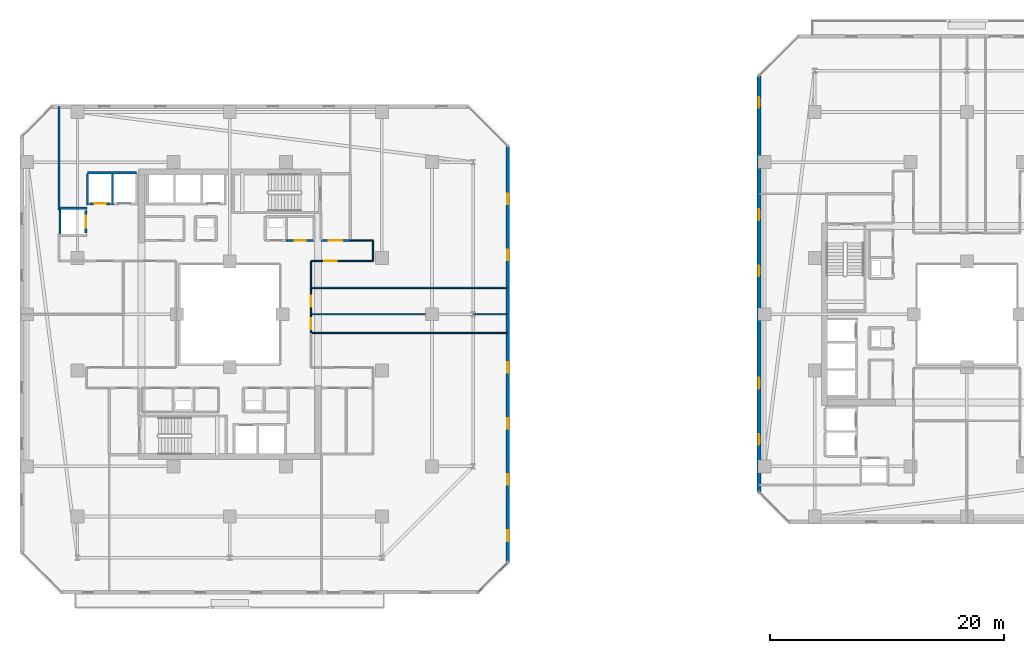
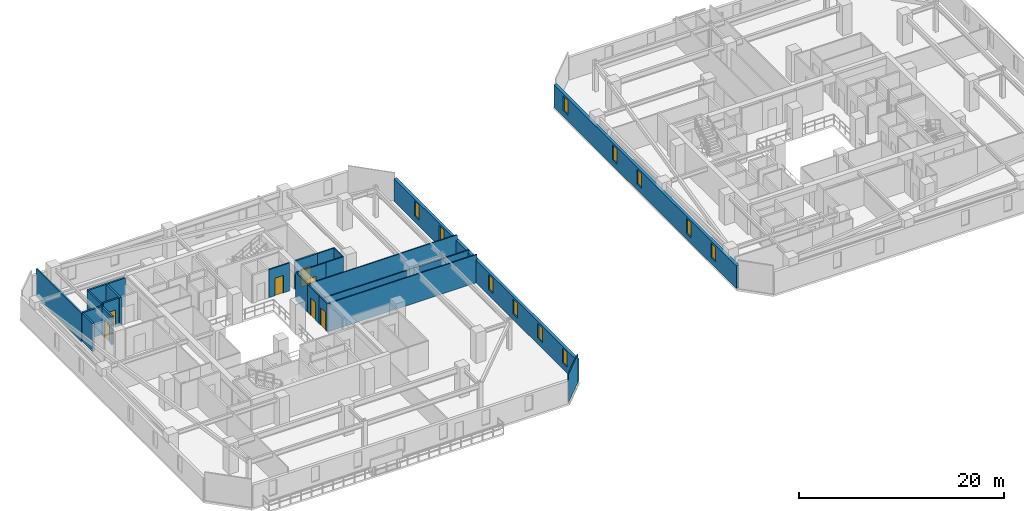
# One storey, part 21 of 33: 23 walls, 11 windows, 7 doors, 18 openings.
"""IFC4 building model written with IfcOpenShell, lengths in metres."""

from ifc_helpers import new_model, si_unit, direction, frame, frame_2d, origin, place, context, subcontext, project, spatial, rectangle, extrude, material, layer, layer_set, type_object, element, fill, save


model = new_model("IFC4")

# Units and contexts
model_context = context("Model", 3, precision=1e-05, world=origin(), true_north=direction((0.0, 1.0)))
body_context = subcontext(model_context, "Body", "Model", "MODEL_VIEW")
ifc_project = project(units=[si_unit("LENGTHUNIT", "METRE"), si_unit("AREAUNIT", "SQUARE_METRE"), si_unit("VOLUMEUNIT", "CUBIC_METRE"), si_unit("PLANEANGLEUNIT", "RADIAN"), si_unit("MASSUNIT", "GRAM", prefix="KILO")], contexts=[model_context])

# Site, building, storey
site_placement = place(None, origin())
site = spatial("IfcSite", under=ifc_project, at=site_placement, CompositionType="ELEMENT")
building_placement = place(site_placement, origin())
building = spatial("IfcBuilding", under=site, at=building_placement, Name="Thornwick Lancets Civic Towers", CompositionType="ELEMENT")
storey_placement = place(building_placement, frame((0.0, 0.0, 159.89990234375)))
storey = spatial("IfcBuildingStorey", under=building, at=storey_placement, Name="L42", CompositionType="ELEMENT", Elevation=159.89990234375)

# Wall, opening, door
ifc_material_1 = material(Name="Concrete blockwork C40/50", Category="masonry")
ifc_layer_1 = layer(ifc_material_1, 0.199951171875, Name="Concrete blockwork C40/50")
ifc_layer_set_1 = layer_set([ifc_layer_1], Name="Concrete blockwork C40/50")
wall_type_1 = type_object("IfcWallType", Name="WALL_COMP_200", PredefinedType="STANDARD", material=ifc_layer_set_1)
wall_1_placement = place(storey_placement, frame((15.320068359375, 36.449951171875, 0.0), z_axis=(0.0, 0.0, 1.0), x_axis=(-1.0, 0.0, 0.0)))
wall_1 = element("IfcWall", 1, at=wall_1_placement, inside=storey, type_object=wall_type_1, Name="L42 Hoistway Front Wall PL-AM2", PredefinedType="STANDARD", context=body_context, shape_type="SweptSolid", body=[
    extrude(rectangle(XDim=1.7900390625, YDim=0.199951171875, at=frame_2d((0.89501953125, 0.0))), origin(), (0.0, 0.0, 1.0), 3.340087890625),
])
opening_1_placement = place(wall_1_placement, frame((0.385009765625, 0.0, 0.0)))
opening_1 = element("IfcOpeningElement", 2, at=opening_1_placement, cuts=wall_1, Name="Opening LD-PL-AM2", PredefinedType="OPENING", context=body_context, shape_type="SweptSolid", body=[
    extrude(rectangle(XDim=1.02001953125, YDim=2.06005859375, at=frame_2d((0.510009765625, 1.030029296875))), frame((0.0, 0.10986328125, 0.0), z_axis=(0.0, -1.0, 0.0), x_axis=(1.0, 0.0, 0.0)), (0.0, 0.0, 1.0), 0.219970703125),
])
ifc_material_2 = material(Name="Brushed bronze stainless steel", Category="steel")
door_type_1 = type_object("IfcDoorType", Name="DOOR_LIFT_SLIDE", OperationType="SLIDING_TO_LEFT", PredefinedType="DOOR", material=ifc_material_2)
door_1_placement = place(opening_1_placement, origin())
door_1 = element("IfcDoor", 3, at=door_1_placement, inside=storey, type_object=door_type_1, Name="L42 Sliding Lift Landing Door LD-PL-AM2", OperationType="SLIDING_TO_LEFT", OverallHeight=2.06005859375, OverallWidth=1.02001953125, PredefinedType="DOOR", context=body_context, shape_type="SweptSolid", body=[
    extrude(rectangle(XDim=1.02001953125, YDim=2.06005859375, at=frame_2d((0.510009765625, 1.030029296875))), frame((0.0, 0.02490234375, 0.0), z_axis=(0.0, -1.0, 0.0), x_axis=(1.0, 0.0, 0.0)), (0.0, 0.0, 1.0), 0.050048828125),
])
fill(opening_1, door_1)

wall_2_placement = place(storey_placement, frame((13.199951171875, 33.929931640625, 0.0), z_axis=(0.0, 0.0, 1.0), x_axis=(0.0, 1.0, 0.0)))
wall_2 = element("IfcWall", 4, at=wall_2_placement, inside=storey, type_object=wall_type_1, Name="L42 Hoistway Front Wall PL-AM3", PredefinedType="STANDARD", context=body_context, shape_type="SweptSolid", body=[
    extrude(rectangle(XDim=1.940185546875, YDim=0.199951171875, at=frame_2d((0.97021484375, 0.0))), origin(), (0.0, 0.0, 1.0), 3.340087890625),
])
opening_2_placement = place(wall_2_placement, frame((0.4599609375, 0.0, 0.0)))
opening_2 = element("IfcOpeningElement", 5, at=opening_2_placement, cuts=wall_2, Name="Opening LD-PL-AM3", PredefinedType="OPENING", context=body_context, shape_type="SweptSolid", body=[
    extrude(rectangle(XDim=1.02001953125, YDim=2.06005859375, at=frame_2d((0.510009765625, 1.030029296875))), frame((0.0, 0.10986328125, 0.0), z_axis=(0.0, -1.0, 0.0), x_axis=(1.0, 0.0, 0.0)), (0.0, 0.0, 1.0), 0.219970703125),
])
door_2_placement = place(opening_2_placement, origin())
door_2 = element("IfcDoor", 6, at=door_2_placement, inside=storey, type_object=door_type_1, Name="L42 Sliding Lift Landing Door LD-PL-AM3", OperationType="SLIDING_TO_LEFT", OverallHeight=2.06005859375, OverallWidth=1.02001953125, PredefinedType="DOOR", context=body_context, shape_type="SweptSolid", body=[
    extrude(rectangle(XDim=1.02001953125, YDim=2.06005859375, at=frame_2d((0.510009765625, 1.030029296875))), frame((0.0, 0.02490234375, 0.0), z_axis=(0.0, -1.0, 0.0), x_axis=(1.0, 0.0, 0.0)), (0.0, 0.0, 1.0), 0.050048828125),
])
fill(opening_2, door_2)

# Walls
wall_3_placement = place(storey_placement, frame((13.35205078125, 39.10009765625, 0.0), z_axis=(0.0, 0.0, 1.0), x_axis=(1.0, 0.0, 0.0)))
element("IfcWall", 7, at=wall_3_placement, inside=storey, type_object=wall_type_1, Name="L42 Hoistway Shaft Wall PL-AM1 N", PredefinedType="STANDARD", context=body_context, shape_type="SweptSolid", body=[
    extrude(rectangle(XDim=4.196044921875, YDim=0.199951171875, at=frame_2d((2.09814453125, 0.0))), origin(), (0.0, 0.0, 1.0), 3.340087890625),
])
for number, where, z_axis, x_axis, name in (
    (8, (15.47509765625, 36.35205078125, 0.0), (0.0, 0.0, 1.0), (0.0, 1.0, 0.0), "L42 Hoistway Shaft Wall PL-AM1 W"),
    (9, (13.35009765625, 36.35205078125, 0.0), (0.0, 0.0, 1.0), (0.0, 1.0, 0.0), "L42 Hoistway Shaft Wall PL-AM2 W"),
):
    element("IfcWall", number, at=place(storey_placement, frame(where, z_axis=z_axis, x_axis=x_axis)), inside=storey, type_object=wall_type_1, Name=name, PredefinedType="STANDARD", context=body_context, shape_type="SweptSolid", body=[
        extrude(rectangle(XDim=2.635986328125, YDim=0.199951171875, at=frame_2d((1.31787109375, 0.0))), origin(), (0.0, 0.0, 1.0), 3.340087890625),
    ])
wall_4_placement = place(storey_placement, frame((11.001953125, 36.050048828125, 0.0), z_axis=(0.0, 0.0, 1.0), x_axis=(1.0, 0.0, 0.0)))
element("IfcWall", 10, at=wall_4_placement, inside=storey, type_object=wall_type_1, Name="L42 Hoistway Shaft Wall PL-AM3 N", PredefinedType="STANDARD", context=body_context, shape_type="SweptSolid", body=[
    extrude(rectangle(XDim=2.296142578125, YDim=0.199951171875, at=frame_2d((1.14794921875, 0.0))), origin(), (0.0, 0.0, 1.0), 3.340087890625),
])
wall_5_placement = place(storey_placement, frame((11.0, 33.862060546875, 0.0), z_axis=(0.0, 0.0, 1.0), x_axis=(0.0, 1.0, 0.0)))
element("IfcWall", 11, at=wall_5_placement, inside=storey, type_object=wall_type_1, Name="L42 Hoistway Shaft Wall PL-AM3 W", PredefinedType="STANDARD", context=body_context, shape_type="SweptSolid", body=[
    extrude(rectangle(XDim=2.075927734375, YDim=0.199951171875, at=frame_2d((1.0380859375, 0.0))), origin(), (0.0, 0.0, 1.0), 3.340087890625),
])

# Wall, opening, door
wall_6_placement = place(storey_placement, frame((33.300048828125, 33.300048828125, 0.0), z_axis=(0.0, 0.0, 1.0), x_axis=(1.0, 0.0, 0.0)))
wall_6 = element("IfcWall", 12, at=wall_6_placement, inside=storey, type_object=wall_type_1, Name="L42 Partition L42-A-FFLOB2 E1", PredefinedType="STANDARD", context=body_context, shape_type="SweptSolid", body=[
    extrude(rectangle(XDim=2.5, YDim=0.199951171875, at=frame_2d((1.25, 0.0))), origin(), (0.0, 0.0, 1.0), 3.340087890625),
])
opening_3_placement = place(wall_6_placement, frame((0.675048828125, 0.0, 0.0)))
opening_3 = element("IfcOpeningElement", 13, at=opening_3_placement, cuts=wall_6, Name="Opening D-L42-1866", PredefinedType="OPENING", context=body_context, shape_type="SweptSolid", body=[
    extrude(rectangle(XDim=1.14990234375, YDim=2.10009765625, at=frame_2d((0.574951171875, 1.050048828125))), frame((0.0, 0.10986328125, 0.0), z_axis=(0.0, -1.0, 0.0), x_axis=(1.0, 0.0, 0.0)), (0.0, 0.0, 1.0), 0.219970703125),
])
ifc_material_3 = material(Name="Glazed fire-resisting steel", Category="steel")
door_type_2 = type_object("IfcDoorType", Name="DOOR_LOBBY_FD60", OperationType="NOTDEFINED", PredefinedType="DOOR", material=ifc_material_3)
door_3_placement = place(opening_3_placement, origin())
door_3 = element("IfcDoor", 14, at=door_3_placement, inside=storey, type_object=door_type_2, Name="L42 North Firefighting Lobby 2 Door", OperationType="SINGLE_SWING_LEFT", OverallHeight=2.10009765625, OverallWidth=1.14990234375, PredefinedType="DOOR", context=body_context, shape_type="SweptSolid", body=[
    extrude(rectangle(XDim=1.14990234375, YDim=2.10009765625, at=frame_2d((0.574951171875, 1.050048828125))), frame((0.0, 0.02490234375, 0.0), z_axis=(0.0, -1.0, 0.0), x_axis=(1.0, 0.0, 0.0)), (0.0, 0.0, 1.0), 0.050048828125),
])
fill(opening_3, door_3)

# Wall, openings, windows
ifc_material_4 = material(Name="Insulated buff terracotta rainscreen on concrete C40/50", Category="masonry")
ifc_layer_2 = layer(ifc_material_4, 0.320068359375, Name="Insulated buff terracotta rainscreen on concrete C40/50")
ifc_layer_set_2 = layer_set([ifc_layer_2], Name="Insulated buff terracotta rainscreen on concrete C40/50")
wall_type_2 = type_object("IfcWallType", Name="WALL_EXT_TERRA_320", PredefinedType="STANDARD", material=ifc_layer_set_2)
wall_7_placement = place(storey_placement, frame((49.2646484375, 5.818603515625, 0.0), z_axis=(0.0, 0.0, 1.0), x_axis=(-7.5574884e-05, 0.999999997144, 0.0)))
wall_7 = element("IfcWall", 15, at=wall_7_placement, inside=storey, type_object=wall_type_2, Name="L42 Tower A Terracotta Facade Wall E2", PredefinedType="STANDARD", context=body_context, shape_type="SweptSolid", body=[
    extrude(rectangle(XDim=35.534912109375, YDim=0.320068359375, at=frame_2d((17.767578125, 0.0))), origin(), (0.0, 0.0, 1.0), 2.7001953125),
])
opening_4_placement = place(wall_7_placement, frame((1.800048828125, 0.0, 0.719970703125)))
opening_4 = element("IfcOpeningElement", 16, at=opening_4_placement, cuts=wall_7, Name="Opening WL-01", PredefinedType="OPENING", context=body_context, shape_type="SweptSolid", body=[
    extrude(rectangle(XDim=0.89990234375, YDim=1.75, at=frame_2d((0.449951171875, 0.875))), frame((0.0, 0.169921875, 0.0), z_axis=(0.0, -1.0, 0.0), x_axis=(1.0, 0.0, 0.0)), (0.0, 0.0, 1.0), 0.340087890625),
])
opening_5_placement = place(wall_7_placement, frame((6.60009765625, 0.0, 0.719970703125)))
opening_5 = element("IfcOpeningElement", 17, at=opening_5_placement, cuts=wall_7, Name="Opening WL-01", PredefinedType="OPENING", context=body_context, shape_type="SweptSolid", body=[
    extrude(rectangle(XDim=0.89990234375, YDim=1.75, at=frame_2d((0.449951171875, 0.875))), frame((0.0, 0.169921875, 0.0), z_axis=(0.0, -1.0, 0.0), x_axis=(1.0, 0.0, 0.0)), (0.0, 0.0, 1.0), 0.340087890625),
])
opening_6_placement = place(wall_7_placement, frame((11.39990234375, 0.0, 0.719970703125)))
opening_6 = element("IfcOpeningElement", 18, at=opening_6_placement, cuts=wall_7, Name="Opening WL-01", PredefinedType="OPENING", context=body_context, shape_type="SweptSolid", body=[
    extrude(rectangle(XDim=0.89990234375, YDim=1.75, at=frame_2d((0.449951171875, 0.875))), frame((0.0, 0.169921875, 0.0), z_axis=(0.0, -1.0, 0.0), x_axis=(1.0, 0.0, 0.0)), (0.0, 0.0, 1.0), 0.340087890625),
])
opening_7_placement = place(wall_7_placement, frame((16.199951171875, 0.0, 0.719970703125)))
opening_7 = element("IfcOpeningElement", 19, at=opening_7_placement, cuts=wall_7, Name="Opening WL-01", PredefinedType="OPENING", context=body_context, shape_type="SweptSolid", body=[
    extrude(rectangle(XDim=0.89990234375, YDim=1.75, at=frame_2d((0.449951171875, 0.875))), frame((0.0, 0.169921875, 0.0), z_axis=(0.0, -1.0, 0.0), x_axis=(1.0, 0.0, 0.0)), (0.0, 0.0, 1.0), 0.340087890625),
])
opening_8_placement = place(wall_7_placement, frame((25.800048828125, 0.0, 0.719970703125)))
opening_8 = element("IfcOpeningElement", 20, at=opening_8_placement, cuts=wall_7, Name="Opening WL-01", PredefinedType="OPENING", context=body_context, shape_type="SweptSolid", body=[
    extrude(rectangle(XDim=0.89990234375, YDim=1.75, at=frame_2d((0.449951171875, 0.875))), frame((0.0, 0.169921875, 0.0), z_axis=(0.0, -1.0, 0.0), x_axis=(1.0, 0.0, 0.0)), (0.0, 0.0, 1.0), 0.340087890625),
])
opening_9_placement = place(wall_7_placement, frame((30.60009765625, 0.0, 0.719970703125)))
opening_9 = element("IfcOpeningElement", 21, at=opening_9_placement, cuts=wall_7, Name="Opening WL-01", PredefinedType="OPENING", context=body_context, shape_type="SweptSolid", body=[
    extrude(rectangle(XDim=0.89990234375, YDim=1.75, at=frame_2d((0.449951171875, 0.875))), frame((0.0, 0.169921875, 0.0), z_axis=(0.0, -1.0, 0.0), x_axis=(1.0, 0.0, 0.0)), (0.0, 0.0, 1.0), 0.340087890625),
])
ifc_material_5 = material(Name="Clear low-e double glazing in bronze frame", Category="glass")
window_type = type_object("IfcWindowType", Name="WIN_LANCET_900", PartitioningType="SINGLE_PANEL", PredefinedType="WINDOW", material=ifc_material_5)
window_1_placement = place(opening_4_placement, origin())
window_1 = element("IfcWindow", 22, at=window_1_placement, inside=storey, type_object=window_type, Name="L42 Tower A Staggered Lancet Window E2-1", OverallHeight=1.75, OverallWidth=0.89990234375, PartitioningType="SINGLE_PANEL", PredefinedType="WINDOW", context=body_context, shape_type="SweptSolid", body=[
    extrude(rectangle(XDim=0.89990234375, YDim=1.75, at=frame_2d((0.449951171875, 0.875))), frame((0.0, 0.030029296875, 0.0), z_axis=(0.0, -1.0, 0.0), x_axis=(1.0, 0.0, 0.0)), (0.0, 0.0, 1.0), 0.06005859375),
])
fill(opening_4, window_1)
window_2_placement = place(opening_5_placement, origin())
window_2 = element("IfcWindow", 23, at=window_2_placement, inside=storey, type_object=window_type, Name="L42 Tower A Staggered Lancet Window E2-2", OverallHeight=1.75, OverallWidth=0.89990234375, PartitioningType="SINGLE_PANEL", PredefinedType="WINDOW", context=body_context, shape_type="SweptSolid", body=[
    extrude(rectangle(XDim=0.89990234375, YDim=1.75, at=frame_2d((0.449951171875, 0.875))), frame((0.0, 0.030029296875, 0.0), z_axis=(0.0, -1.0, 0.0), x_axis=(1.0, 0.0, 0.0)), (0.0, 0.0, 1.0), 0.06005859375),
])
fill(opening_5, window_2)
window_3_placement = place(opening_6_placement, origin())
window_3 = element("IfcWindow", 24, at=window_3_placement, inside=storey, type_object=window_type, Name="L42 Tower A Staggered Lancet Window E2-3", OverallHeight=1.75, OverallWidth=0.89990234375, PartitioningType="SINGLE_PANEL", PredefinedType="WINDOW", context=body_context, shape_type="SweptSolid", body=[
    extrude(rectangle(XDim=0.89990234375, YDim=1.75, at=frame_2d((0.449951171875, 0.875))), frame((0.0, 0.030029296875, 0.0), z_axis=(0.0, -1.0, 0.0), x_axis=(1.0, 0.0, 0.0)), (0.0, 0.0, 1.0), 0.06005859375),
])
fill(opening_6, window_3)
window_4_placement = place(opening_7_placement, origin())
window_4 = element("IfcWindow", 25, at=window_4_placement, inside=storey, type_object=window_type, Name="L42 Tower A Staggered Lancet Window E2-4", OverallHeight=1.75, OverallWidth=0.89990234375, PartitioningType="SINGLE_PANEL", PredefinedType="WINDOW", context=body_context, shape_type="SweptSolid", body=[
    extrude(rectangle(XDim=0.89990234375, YDim=1.75, at=frame_2d((0.449951171875, 0.875))), frame((0.0, 0.030029296875, 0.0), z_axis=(0.0, -1.0, 0.0), x_axis=(1.0, 0.0, 0.0)), (0.0, 0.0, 1.0), 0.06005859375),
])
fill(opening_7, window_4)
window_5_placement = place(opening_8_placement, origin())
window_5 = element("IfcWindow", 26, at=window_5_placement, inside=storey, type_object=window_type, Name="L42 Tower A Staggered Lancet Window E2-5", OverallHeight=1.75, OverallWidth=0.89990234375, PartitioningType="SINGLE_PANEL", PredefinedType="WINDOW", context=body_context, shape_type="SweptSolid", body=[
    extrude(rectangle(XDim=0.89990234375, YDim=1.75, at=frame_2d((0.449951171875, 0.875))), frame((0.0, 0.030029296875, 0.0), z_axis=(0.0, -1.0, 0.0), x_axis=(1.0, 0.0, 0.0)), (0.0, 0.0, 1.0), 0.06005859375),
])
fill(opening_8, window_5)
window_6_placement = place(opening_9_placement, origin())
window_6 = element("IfcWindow", 27, at=window_6_placement, inside=storey, type_object=window_type, Name="L42 Tower A Staggered Lancet Window E2-6", OverallHeight=1.75, OverallWidth=0.89990234375, PartitioningType="SINGLE_PANEL", PredefinedType="WINDOW", context=body_context, shape_type="SweptSolid", body=[
    extrude(rectangle(XDim=0.89990234375, YDim=1.75, at=frame_2d((0.449951171875, 0.875))), frame((0.0, 0.030029296875, 0.0), z_axis=(0.0, -1.0, 0.0), x_axis=(1.0, 0.0, 0.0)), (0.0, 0.0, 1.0), 0.06005859375),
])
fill(opening_9, window_6)

wall_8_placement = place(storey_placement, frame((70.738037109375, 47.353515625, 0.0), z_axis=(0.0, 0.0, 1.0), x_axis=(-7.5574884e-05, -0.999999997144, 0.0)))
wall_8 = element("IfcWall", 28, at=wall_8_placement, inside=storey, type_object=wall_type_2, Name="L42 Tower B Terracotta Facade Wall E6", PredefinedType="STANDARD", context=body_context, shape_type="SweptSolid", body=[
    extrude(rectangle(XDim=35.534912109375, YDim=0.320068359375, at=frame_2d((17.767578125, 0.0))), origin(), (0.0, 0.0, 1.0), 2.7001953125),
])
opening_10_placement = place(wall_8_placement, frame((1.800048828125, 0.0, 0.719970703125)))
opening_10 = element("IfcOpeningElement", 29, at=opening_10_placement, cuts=wall_8, Name="Opening WL-01", PredefinedType="OPENING", context=body_context, shape_type="SweptSolid", body=[
    extrude(rectangle(XDim=0.89990234375, YDim=1.75, at=frame_2d((0.449951171875, 0.875))), frame((0.0, 0.169921875, 0.0), z_axis=(0.0, -1.0, 0.0), x_axis=(1.0, 0.0, 0.0)), (0.0, 0.0, 1.0), 0.340087890625),
])
opening_11_placement = place(wall_8_placement, frame((11.39990234375, 0.0, 0.719970703125)))
opening_11 = element("IfcOpeningElement", 30, at=opening_11_placement, cuts=wall_8, Name="Opening WL-01", PredefinedType="OPENING", context=body_context, shape_type="SweptSolid", body=[
    extrude(rectangle(XDim=0.89990234375, YDim=1.75, at=frame_2d((0.449951171875, 0.875))), frame((0.0, 0.169921875, 0.0), z_axis=(0.0, -1.0, 0.0), x_axis=(1.0, 0.0, 0.0)), (0.0, 0.0, 1.0), 0.340087890625),
])
opening_12_placement = place(wall_8_placement, frame((16.199951171875, 0.0, 0.719970703125)))
opening_12 = element("IfcOpeningElement", 31, at=opening_12_placement, cuts=wall_8, Name="Opening WL-01", PredefinedType="OPENING", context=body_context, shape_type="SweptSolid", body=[
    extrude(rectangle(XDim=0.89990234375, YDim=1.75, at=frame_2d((0.449951171875, 0.875))), frame((0.0, 0.169921875, 0.0), z_axis=(0.0, -1.0, 0.0), x_axis=(1.0, 0.0, 0.0)), (0.0, 0.0, 1.0), 0.340087890625),
])
opening_13_placement = place(wall_8_placement, frame((25.800048828125, 0.0, 0.719970703125)))
opening_13 = element("IfcOpeningElement", 32, at=opening_13_placement, cuts=wall_8, Name="Opening WL-01", PredefinedType="OPENING", context=body_context, shape_type="SweptSolid", body=[
    extrude(rectangle(XDim=0.89990234375, YDim=1.75, at=frame_2d((0.449951171875, 0.875))), frame((0.0, 0.169921875, 0.0), z_axis=(0.0, -1.0, 0.0), x_axis=(1.0, 0.0, 0.0)), (0.0, 0.0, 1.0), 0.340087890625),
])
opening_14_placement = place(wall_8_placement, frame((30.60009765625, 0.0, 0.719970703125)))
opening_14 = element("IfcOpeningElement", 33, at=opening_14_placement, cuts=wall_8, Name="Opening WL-01", PredefinedType="OPENING", context=body_context, shape_type="SweptSolid", body=[
    extrude(rectangle(XDim=0.89990234375, YDim=1.75, at=frame_2d((0.449951171875, 0.875))), frame((0.0, 0.169921875, 0.0), z_axis=(0.0, -1.0, 0.0), x_axis=(1.0, 0.0, 0.0)), (0.0, 0.0, 1.0), 0.340087890625),
])
window_7_placement = place(opening_10_placement, origin())
window_7 = element("IfcWindow", 34, at=window_7_placement, inside=storey, type_object=window_type, Name="L42 Tower B Staggered Lancet Window E6-1", OverallHeight=1.75, OverallWidth=0.89990234375, PartitioningType="SINGLE_PANEL", PredefinedType="WINDOW", context=body_context, shape_type="SweptSolid", body=[
    extrude(rectangle(XDim=0.89990234375, YDim=1.75, at=frame_2d((0.449951171875, 0.875))), frame((0.0, 0.030029296875, 0.0), z_axis=(0.0, -1.0, 0.0), x_axis=(1.0, 0.0, 0.0)), (0.0, 0.0, 1.0), 0.06005859375),
])
fill(opening_10, window_7)
window_8_placement = place(opening_11_placement, origin())
window_8 = element("IfcWindow", 35, at=window_8_placement, inside=storey, type_object=window_type, Name="L42 Tower B Staggered Lancet Window E6-2", OverallHeight=1.75, OverallWidth=0.89990234375, PartitioningType="SINGLE_PANEL", PredefinedType="WINDOW", context=body_context, shape_type="SweptSolid", body=[
    extrude(rectangle(XDim=0.89990234375, YDim=1.75, at=frame_2d((0.449951171875, 0.875))), frame((0.0, 0.030029296875, 0.0), z_axis=(0.0, -1.0, 0.0), x_axis=(1.0, 0.0, 0.0)), (0.0, 0.0, 1.0), 0.06005859375),
])
fill(opening_11, window_8)
window_9_placement = place(opening_12_placement, origin())
window_9 = element("IfcWindow", 36, at=window_9_placement, inside=storey, type_object=window_type, Name="L42 Tower B Staggered Lancet Window E6-3", OverallHeight=1.75, OverallWidth=0.89990234375, PartitioningType="SINGLE_PANEL", PredefinedType="WINDOW", context=body_context, shape_type="SweptSolid", body=[
    extrude(rectangle(XDim=0.89990234375, YDim=1.75, at=frame_2d((0.449951171875, 0.875))), frame((0.0, 0.030029296875, 0.0), z_axis=(0.0, -1.0, 0.0), x_axis=(1.0, 0.0, 0.0)), (0.0, 0.0, 1.0), 0.06005859375),
])
fill(opening_12, window_9)
window_10_placement = place(opening_13_placement, origin())
window_10 = element("IfcWindow", 37, at=window_10_placement, inside=storey, type_object=window_type, Name="L42 Tower B Staggered Lancet Window E6-4", OverallHeight=1.75, OverallWidth=0.89990234375, PartitioningType="SINGLE_PANEL", PredefinedType="WINDOW", context=body_context, shape_type="SweptSolid", body=[
    extrude(rectangle(XDim=0.89990234375, YDim=1.75, at=frame_2d((0.449951171875, 0.875))), frame((0.0, 0.030029296875, 0.0), z_axis=(0.0, -1.0, 0.0), x_axis=(1.0, 0.0, 0.0)), (0.0, 0.0, 1.0), 0.06005859375),
])
fill(opening_13, window_10)
window_11_placement = place(opening_14_placement, origin())
window_11 = element("IfcWindow", 38, at=window_11_placement, inside=storey, type_object=window_type, Name="L42 Tower B Staggered Lancet Window E6-5", OverallHeight=1.75, OverallWidth=0.89990234375, PartitioningType="SINGLE_PANEL", PredefinedType="WINDOW", context=body_context, shape_type="SweptSolid", body=[
    extrude(rectangle(XDim=0.89990234375, YDim=1.75, at=frame_2d((0.449951171875, 0.875))), frame((0.0, 0.030029296875, 0.0), z_axis=(0.0, -1.0, 0.0), x_axis=(1.0, 0.0, 0.0)), (0.0, 0.0, 1.0), 0.06005859375),
])
fill(opening_14, window_11)

# Walls
ifc_material_6 = material(Name="Acoustic gypsum board partition")
ifc_layer_3 = layer(ifc_material_6, 0.1201171875, Name="Acoustic gypsum board partition")
ifc_layer_set_3 = layer_set([ifc_layer_3], Name="Acoustic gypsum board partition")
wall_type_3 = type_object("IfcWallType", Name="WALL_PART_120", PredefinedType="PARTITIONING", material=ifc_layer_set_3)
wall_9_placement = place(storey_placement, frame((32.449951171875, 25.39990234375, 0.0), z_axis=(0.0, 0.0, 1.0), x_axis=(1.0, 0.0, 0.0)))
element("IfcWall", 39, at=wall_9_placement, inside=storey, type_object=wall_type_3, Name="L42 Partition L42-A-E1 E9", PredefinedType="PARTITIONING", context=body_context, shape_type="SweptSolid", body=[
    extrude(rectangle(XDim=16.77001953125, YDim=0.1201171875, at=frame_2d((8.385009765625, 0.0))), origin(), (0.0, 0.0, 1.0), 3.340087890625),
])
wall_10_placement = place(storey_placement, frame((49.219970703125, 5.774658203125, 0.0), z_axis=(0.0, 0.0, 1.0), x_axis=(-0.707106781187, -0.707106781187, 0.0)))
element("IfcWall", 40, at=wall_10_placement, inside=storey, type_object=wall_type_3, Name="L42 Partition L42-A-E1 E11", PredefinedType="PARTITIONING", context=body_context, shape_type="SweptSolid", body=[
    extrude(rectangle(XDim=3.52783203125, YDim=0.1201171875, at=frame_2d((1.763916015625, 0.0))), origin(), (0.0, 0.0, 1.0), 3.340087890625),
])

# Wall, opening, door
wall_11_placement = place(storey_placement, frame((32.449951171875, 25.39990234375, 0.0), z_axis=(0.0, 0.0, 1.0), x_axis=(0.0, 1.0, 0.0)))
wall_11 = element("IfcWall", 41, at=wall_11_placement, inside=storey, type_object=wall_type_3, Name="L42 Partition L42-A-E2 E1", PredefinedType="PARTITIONING", context=body_context, shape_type="SweptSolid", body=[
    extrude(rectangle(XDim=1.60009765625, YDim=0.1201171875, at=frame_2d((0.800048828125, 0.0))), origin(), (0.0, 0.0, 1.0), 3.340087890625),
])
opening_15_placement = place(wall_11_placement, frame((0.324951171875, 0.0, 0.0)))
opening_15 = element("IfcOpeningElement", 42, at=opening_15_placement, cuts=wall_11, Name="Opening D-L42-1895", PredefinedType="OPENING", context=body_context, shape_type="SweptSolid", body=[
    extrude(rectangle(XDim=0.949951171875, YDim=2.10009765625, at=frame_2d((0.47509765625, 1.050048828125))), frame((0.0, 0.070068359375, 0.0), z_axis=(0.0, -1.0, 0.0), x_axis=(1.0, 0.0, 0.0)), (0.0, 0.0, 1.0), 0.14013671875),
])
ifc_material_7 = material(Name="European oak acoustic doorset")
door_type_3 = type_object("IfcDoorType", Name="DOOR_OFFICE_950", OperationType="NOTDEFINED", PredefinedType="DOOR", material=ifc_material_7)
door_4_placement = place(opening_15_placement, origin())
door_4 = element("IfcDoor", 43, at=door_4_placement, inside=storey, type_object=door_type_3, Name="L42 Tower A Visitors Reception and Waiting Door", OperationType="SINGLE_SWING_RIGHT", OverallHeight=2.10009765625, OverallWidth=0.949951171875, PredefinedType="DOOR", context=body_context, shape_type="SweptSolid", body=[
    extrude(rectangle(XDim=0.949951171875, YDim=2.10009765625, at=frame_2d((0.47509765625, 1.050048828125))), frame((0.0, 0.02490234375, 0.0), z_axis=(0.0, -1.0, 0.0), x_axis=(1.0, 0.0, 0.0)), (0.0, 0.0, 1.0), 0.050048828125),
])
fill(opening_15, door_4)

# Wall
wall_12_placement = place(storey_placement, frame((32.449951171875, 27.0, 0.0), z_axis=(0.0, 0.0, 1.0), x_axis=(1.0, 0.0, 0.0)))
element("IfcWall", 44, at=wall_12_placement, inside=storey, type_object=wall_type_3, Name="L42 Partition L42-A-E2 E2", PredefinedType="PARTITIONING", context=body_context, shape_type="SweptSolid", body=[
    extrude(rectangle(XDim=16.77001953125, YDim=0.1201171875, at=frame_2d((8.385009765625, 0.0))), origin(), (0.0, 0.0, 1.0), 2.8779296875),
])

# Wall, opening, door
wall_13_placement = place(storey_placement, frame((32.449951171875, 27.0, 0.0), z_axis=(0.0, 0.0, 1.0), x_axis=(0.0, 1.0, 0.0)))
wall_13 = element("IfcWall", 45, at=wall_13_placement, inside=storey, type_object=wall_type_3, Name="L42 Partition L42-A-E3 E1", PredefinedType="PARTITIONING", context=body_context, shape_type="SweptSolid", body=[
    extrude(rectangle(XDim=2.25, YDim=0.1201171875, at=frame_2d((1.125, 0.0))), origin(), (0.0, 0.0, 1.0), 3.340087890625),
])
opening_16_placement = place(wall_13_placement, frame((0.64990234375, 0.0, 0.0)))
opening_16 = element("IfcOpeningElement", 46, at=opening_16_placement, cuts=wall_13, Name="Opening D-L42-1896", PredefinedType="OPENING", context=body_context, shape_type="SweptSolid", body=[
    extrude(rectangle(XDim=0.949951171875, YDim=2.10009765625, at=frame_2d((0.47509765625, 1.050048828125))), frame((0.0, 0.070068359375, 0.0), z_axis=(0.0, -1.0, 0.0), x_axis=(1.0, 0.0, 0.0)), (0.0, 0.0, 1.0), 0.14013671875),
])
door_5_placement = place(opening_16_placement, origin())
door_5 = element("IfcDoor", 47, at=door_5_placement, inside=storey, type_object=door_type_3, Name="L42 Tower A Civic Seminar Room Door", OperationType="SINGLE_SWING_LEFT", OverallHeight=2.10009765625, OverallWidth=0.949951171875, PredefinedType="DOOR", context=body_context, shape_type="SweptSolid", body=[
    extrude(rectangle(XDim=0.949951171875, YDim=2.10009765625, at=frame_2d((0.47509765625, 1.050048828125))), frame((0.0, 0.02490234375, 0.0), z_axis=(0.0, -1.0, 0.0), x_axis=(1.0, 0.0, 0.0)), (0.0, 0.0, 1.0), 0.050048828125),
])
fill(opening_16, door_5)

# Wall
wall_14_placement = place(storey_placement, frame((32.449951171875, 29.25, 0.0), z_axis=(0.0, 0.0, 1.0), x_axis=(1.0, 0.0, 0.0)))
element("IfcWall", 48, at=wall_14_placement, inside=storey, type_object=wall_type_3, Name="L42 Partition L42-A-E3 E2", PredefinedType="PARTITIONING", context=body_context, shape_type="SweptSolid", body=[
    extrude(rectangle(XDim=16.77001953125, YDim=0.1201171875, at=frame_2d((8.385009765625, 0.0))), origin(), (0.0, 0.0, 1.0), 3.340087890625),
])

# Wall, opening, door
wall_15_placement = place(storey_placement, frame((32.449951171875, 31.550048828125, 0.0), z_axis=(0.0, 0.0, 1.0), x_axis=(1.0, 0.0, 0.0)))
wall_15 = element("IfcWall", 49, at=wall_15_placement, inside=storey, type_object=wall_type_3, Name="L42 Partition L42-A-E4 E1", PredefinedType="PARTITIONING", context=body_context, shape_type="SweptSolid", body=[
    extrude(rectangle(XDim=3.35009765625, YDim=0.1201171875, at=frame_2d((1.675048828125, 0.0))), origin(), (0.0, 0.0, 1.0), 3.340087890625),
])
opening_17_placement = place(wall_15_placement, frame((1.14990234375, 0.0, 0.0)))
opening_17 = element("IfcOpeningElement", 50, at=opening_17_placement, cuts=wall_15, Name="Opening D-L42-1897", PredefinedType="OPENING", context=body_context, shape_type="SweptSolid", body=[
    extrude(rectangle(XDim=1.050048828125, YDim=2.10009765625, at=frame_2d((0.52490234375, 1.050048828125))), frame((0.0, 0.070068359375, 0.0), z_axis=(0.0, -1.0, 0.0), x_axis=(1.0, 0.0, 0.0)), (0.0, 0.0, 1.0), 0.14013671875),
])
ifc_material_8 = material(Name="Glazed European oak executive doorset")
door_type_4 = type_object("IfcDoorType", Name="DOOR_OFFICE_1050", OperationType="NOTDEFINED", PredefinedType="DOOR", material=ifc_material_8)
door_6_placement = place(opening_17_placement, origin())
door_6 = element("IfcDoor", 51, at=door_6_placement, inside=storey, type_object=door_type_4, Name="L42 Tower A Counsel Chambers Office E4 Door", OperationType="SINGLE_SWING_RIGHT", OverallHeight=2.10009765625, OverallWidth=1.050048828125, PredefinedType="DOOR", context=body_context, shape_type="SweptSolid", body=[
    extrude(rectangle(XDim=1.050048828125, YDim=2.10009765625, at=frame_2d((0.52490234375, 1.050048828125))), frame((0.0, 0.02490234375, 0.0), z_axis=(0.0, -1.0, 0.0), x_axis=(1.0, 0.0, 0.0)), (0.0, 0.0, 1.0), 0.050048828125),
])
fill(opening_17, door_6)

# Walls
wall_16_placement = place(storey_placement, frame((35.800048828125, 31.550048828125, 0.0), z_axis=(0.0, 0.0, 1.0), x_axis=(1.0, 0.0, 0.0)))
element("IfcWall", 52, at=wall_16_placement, inside=storey, type_object=wall_type_3, Name="L42 Partition L42-A-E4 E2", PredefinedType="PARTITIONING", context=body_context, shape_type="SweptSolid", body=[
    extrude(rectangle(XDim=1.949951171875, YDim=0.1201171875, at=frame_2d((0.97509765625, 0.0))), origin(), (0.0, 0.0, 1.0), 3.340087890625),
])
wall_17_placement = place(storey_placement, frame((37.75, 31.550048828125, 0.0), z_axis=(0.0, 0.0, 1.0), x_axis=(0.0, 1.0, 0.0)))
element("IfcWall", 53, at=wall_17_placement, inside=storey, type_object=wall_type_3, Name="L42 Partition L42-A-E4 E3", PredefinedType="PARTITIONING", context=body_context, shape_type="SweptSolid", body=[
    extrude(rectangle(XDim=1.75, YDim=0.1201171875, at=frame_2d((0.875, 0.0))), origin(), (0.0, 0.0, 1.0), 3.340087890625),
])
wall_18_placement = place(storey_placement, frame((37.75, 33.300048828125, 0.0), z_axis=(0.0, 0.0, 1.0), x_axis=(-1.0, 0.0, 0.0)))
element("IfcWall", 54, at=wall_18_placement, inside=storey, type_object=wall_type_3, Name="L42 Partition L42-A-E4 E4", PredefinedType="PARTITIONING", context=body_context, shape_type="SweptSolid", body=[
    extrude(rectangle(XDim=1.949951171875, YDim=0.1201171875, at=frame_2d((0.97509765625, 0.0))), origin(), (0.0, 0.0, 1.0), 3.340087890625),
])
wall_19_placement = place(storey_placement, frame((32.449951171875, 29.25, 0.0), z_axis=(0.0, 0.0, 1.0), x_axis=(0.0, 1.0, 0.0)))
element("IfcWall", 55, at=wall_19_placement, inside=storey, type_object=wall_type_3, Name="L42 Partition L42-A-E4 E11", PredefinedType="PARTITIONING", context=body_context, shape_type="SweptSolid", body=[
    extrude(rectangle(XDim=2.300048828125, YDim=0.1201171875, at=frame_2d((1.14990234375, 0.0))), origin(), (0.0, 0.0, 1.0), 3.340087890625),
])

# Wall, opening, door
ifc_material_9 = material(Name="Twin-stud acoustic gypsum board")
ifc_layer_4 = layer(ifc_material_9, 0.14990234375, Name="Twin-stud acoustic gypsum board")
ifc_layer_set_4 = layer_set([ifc_layer_4], Name="Twin-stud acoustic gypsum board")
wall_type_4 = type_object("IfcWallType", Name="WALL_PART_150", PredefinedType="PARTITIONING", material=ifc_layer_set_4)
wall_20_placement = place(storey_placement, frame((32.699951171875, 33.300048828125, 0.0), z_axis=(0.0, 0.0, 1.0), x_axis=(-1.0, 0.0, 0.0)))
wall_20 = element("IfcWall", 56, at=wall_20_placement, inside=storey, type_object=wall_type_4, Name="L42 Partition L42-A-FWC E2", PredefinedType="PARTITIONING", context=body_context, shape_type="SweptSolid", body=[
    extrude(rectangle(XDim=2.349853515625, YDim=0.14990234375, at=frame_2d((1.1748046875, 0.0))), origin(), (0.0, 0.0, 1.0), 3.340087890625),
])
opening_18_placement = place(wall_20_placement, frame((0.715087890625, 0.0, 0.0)))
opening_18 = element("IfcOpeningElement", 57, at=opening_18_placement, cuts=wall_20, Name="Opening D-L42-1876", PredefinedType="OPENING", context=body_context, shape_type="SweptSolid", body=[
    extrude(rectangle(XDim=0.919921875, YDim=2.080078125, at=frame_2d((0.4599609375, 1.0400390625))), frame((0.0, 0.0849609375, 0.0), z_axis=(0.0, -1.0, 0.0), x_axis=(1.0, 0.0, 0.0)), (0.0, 0.0, 1.0), 0.169921875),
])
ifc_material_10 = material(Name="Moisture-resistant oak doorset")
door_type_5 = type_object("IfcDoorType", Name="DOOR_WC_900", OperationType="NOTDEFINED", PredefinedType="DOOR", material=ifc_material_10)
door_7_placement = place(opening_18_placement, origin())
door_7 = element("IfcDoor", 58, at=door_7_placement, inside=storey, type_object=door_type_5, Name="L42 Tower A Female WC Door", OperationType="SINGLE_SWING_LEFT", OverallHeight=2.080078125, OverallWidth=0.919921875, PredefinedType="DOOR", context=body_context, shape_type="SweptSolid", body=[
    extrude(rectangle(XDim=0.919921875, YDim=2.080078125, at=frame_2d((0.4599609375, 1.0400390625))), frame((0.0, 0.02490234375, 0.0), z_axis=(0.0, -1.0, 0.0), x_axis=(1.0, 0.0, 0.0)), (0.0, 0.0, 1.0), 0.050048828125),
])
fill(opening_18, door_7)

# Wall
wall_21_placement = place(storey_placement, frame((10.89990234375, 44.719970703125, 0.0), z_axis=(0.0, 0.0, 1.0), x_axis=(0.0, -1.0, 0.0)))
element("IfcWall", 59, at=wall_21_placement, inside=storey, type_object=wall_type_4, Name="L42 Partition L42-A-W2 E7", PredefinedType="PARTITIONING", context=body_context, shape_type="SweptSolid", body=[
    extrude(rectangle(XDim=8.781982421875, YDim=0.14990234375, at=frame_2d((4.39111328125, 0.0))), origin(), (0.0, 0.0, 1.0), 3.340087890625),
])

save(model, "model.ifc")
